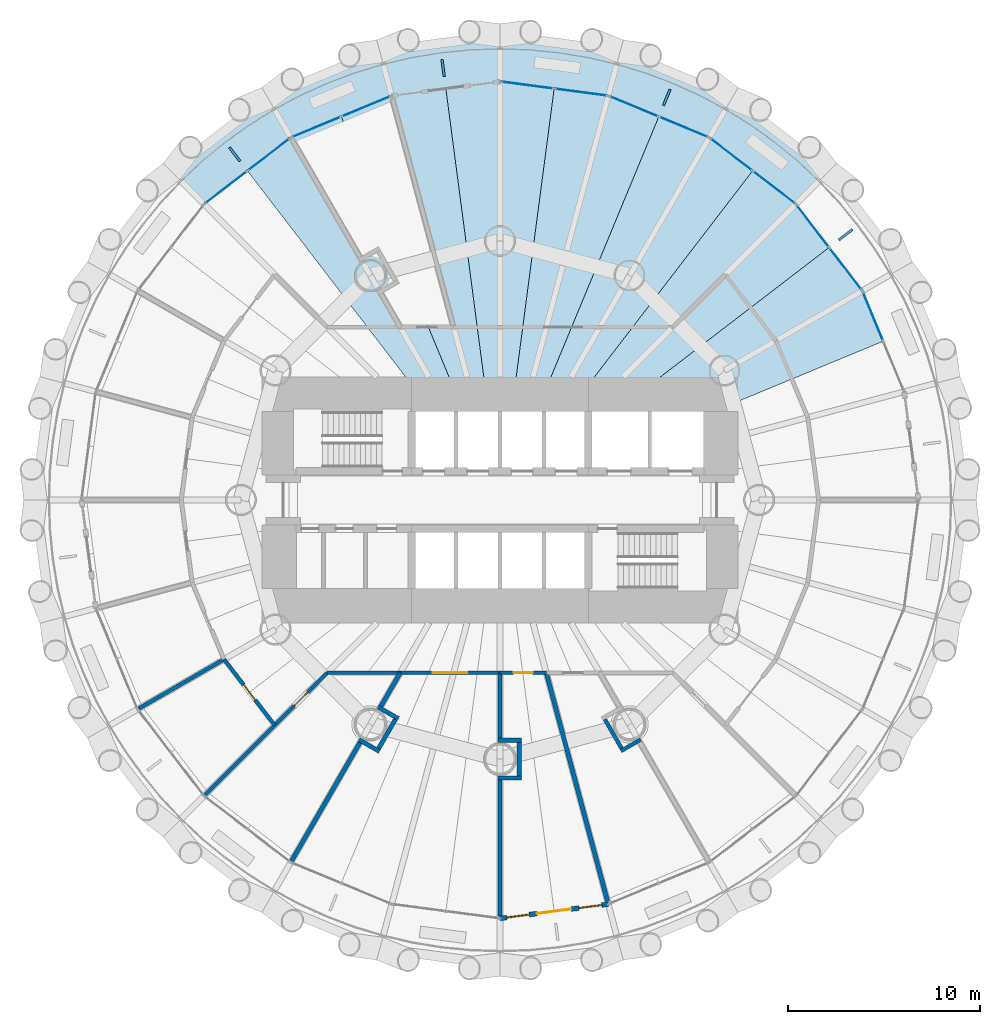
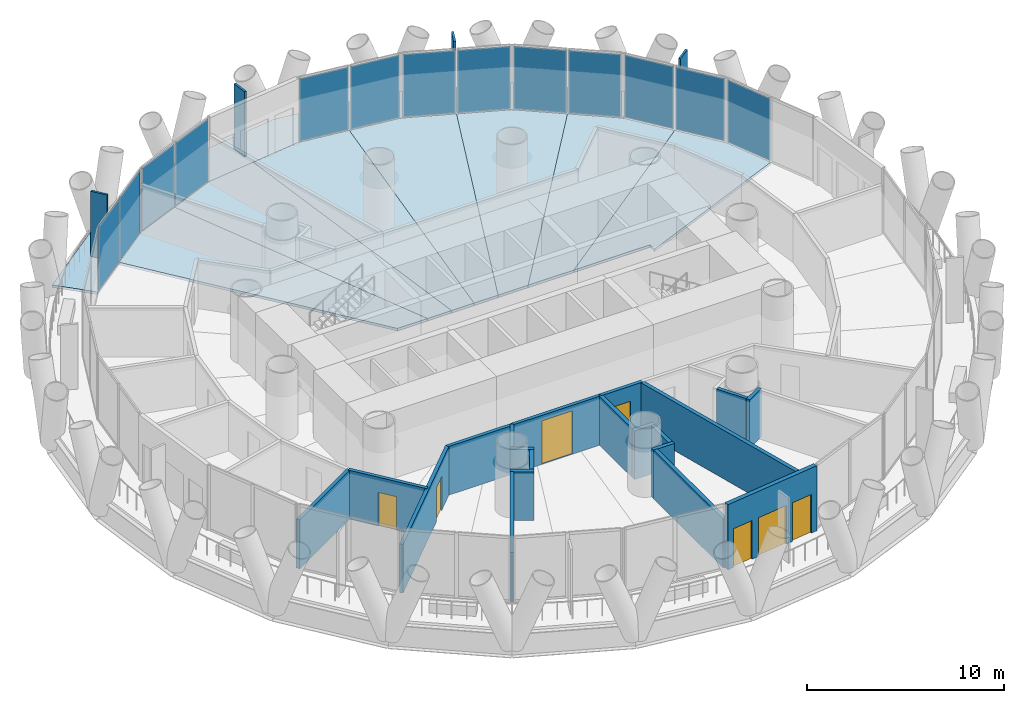
# One storey, part 9 of 16: 20 walls, 17 plates, 8 slabs, 5 doors, 2 windows, 7 openings, 7 elements without a shape of their own.
"""IFC4 building model written with IfcOpenShell, lengths in metres."""

from ifc_helpers import new_model, si_unit, direction, frame, frame_2d, origin, origin_2d, place, context, subcontext, project, spatial, polyline, rectangle, outline, extrude, material, layer, layer_set, type_object, element, fill, aggregate, save


model = new_model("IFC4")

# Units and contexts
model_context = context("Model", 3, precision=1e-05, world=origin(), true_north=direction((0.0, 1.0)))
body_context = subcontext(model_context, "Body", "Model", "MODEL_VIEW")
ifc_project = project(units=[si_unit("LENGTHUNIT", "METRE"), si_unit("AREAUNIT", "SQUARE_METRE"), si_unit("VOLUMEUNIT", "CUBIC_METRE"), si_unit("PLANEANGLEUNIT", "RADIAN"), si_unit("MASSUNIT", "GRAM", prefix="KILO")], contexts=[model_context])

# Site, building, storey
site_placement = place(None, origin())
site = spatial("IfcSite", under=ifc_project, at=site_placement, CompositionType="ELEMENT")
building_placement = place(site_placement, origin())
building = spatial("IfcBuilding", under=site, at=building_placement, Name="Qaws Media Tower", CompositionType="ELEMENT")
storey_placement = place(building_placement, frame((0.0, 0.0, 42.800048828125)))
storey = spatial("IfcBuildingStorey", under=building, at=storey_placement, Name="L08", CompositionType="ELEMENT", Elevation=42.800048828125)

# Slabs
ifc_material_1 = material(Name="Concrete C35/45", Category="concrete")
ifc_layer_1 = layer(ifc_material_1, 0.159912109375)
ifc_layer_set_1 = layer_set([ifc_layer_1], Name="Composite balcony slab 160")
slab_type_1 = type_object("IfcSlabType", Name="Composite balcony slab 160", PredefinedType="FLOOR", material=ifc_layer_set_1)
slab_1_placement = place(storey_placement, frame((0.0, 0.0, -0.16015625)))
element("IfcSlab", 1, at=slab_1_placement, inside=storey, type_object=slab_type_1, Name="S2 balcony slab L08 R04 to R10, movement joints on R04 and R10", PredefinedType="FLOOR", context=body_context, shape_type="SweptSolid", body=[
    extrude(outline(polyline([(42.887939453125, 67.112060546875), (47.89990234375, 70.957763671875), (53.736572265625, 73.37548828125), (60.0, 74.199951171875), (66.263427734375, 73.37548828125), (72.10009765625, 70.957763671875), (77.112060546875, 67.112060546875), (75.414794921875, 65.414794921875), (70.89990234375, 68.87939453125), (65.642333984375, 71.05712890625), (60.0, 71.800048828125), (54.357666015625, 71.05712890625), (49.10009765625, 68.87939453125), (44.585205078125, 65.414794921875), (42.887939453125, 67.112060546875)])), origin(), (0.0, 0.0, 1.0), 0.16015625),
])
ifc_material_2 = material(Name="Concrete C35/45", Category="concrete")
ifc_layer_2 = layer(ifc_material_2, 0.159912109375)
ifc_layer_set_2 = layer_set([ifc_layer_2], Name="Composite floor slab 160")
slab_type_2 = type_object("IfcSlabType", Name="Composite floor slab 160", PredefinedType="FLOOR", material=ifc_layer_set_2)
slab_2_placement = place(storey_placement, frame((0.0, 0.0, -0.16015625)))
element("IfcSlab", 2, at=slab_2_placement, inside=storey, type_object=slab_type_2, Name="S1 floor panel L08 on R03", PredefinedType="FLOOR", context=body_context, shape_type="SweptSolid", body=[
    extrude(outline(polyline([(78.87939453125, 60.89990234375), (79.96826171875, 58.27099609375), (71.0, 54.556396484375), (71.0, 55.0), (66.51611328125, 55.0), (77.147216796875, 63.157470703125), (78.87939453125, 60.89990234375)])), origin(), (0.0, 0.0, 1.0), 0.16015625),
])
slab_3_placement = place(storey_placement, frame((0.0, 0.0, -0.16015625)))
element("IfcSlab", 3, at=slab_3_placement, inside=storey, type_object=slab_type_2, Name="S1 floor panel L08 on R04", PredefinedType="FLOOR", context=body_context, shape_type="SweptSolid", body=[
    extrude(outline(polyline([(75.414794921875, 65.414794921875), (77.147216796875, 63.157470703125), (66.51611328125, 55.0), (63.836669921875, 55.0), (73.157470703125, 67.147216796875), (75.414794921875, 65.414794921875)])), origin(), (0.0, 0.0, 1.0), 0.16015625),
])
slab_4_placement = place(storey_placement, frame((0.0, 0.0, -0.16015625)))
element("IfcSlab", 4, at=slab_4_placement, inside=storey, type_object=slab_type_2, Name="S1 floor panel L08 on R05", PredefinedType="FLOOR", context=body_context, shape_type="SweptSolid", body=[
    extrude(outline(polyline([(70.89990234375, 68.87939453125), (73.157470703125, 67.147216796875), (63.836669921875, 55.0), (62.071044921875, 55.0), (68.27099609375, 69.96826171875), (70.89990234375, 68.87939453125)])), origin(), (0.0, 0.0, 1.0), 0.16015625),
])
slab_5_placement = place(storey_placement, frame((0.0, 0.0, -0.16015625)))
element("IfcSlab", 5, at=slab_5_placement, inside=storey, type_object=slab_type_2, Name="S1 floor panel L08 on R06", PredefinedType="FLOOR", context=body_context, shape_type="SweptSolid", body=[
    extrude(outline(polyline([(65.642333984375, 71.05712890625), (68.27099609375, 69.96826171875), (62.071044921875, 55.0), (60.658203125, 55.0), (62.821044921875, 71.4287109375), (65.642333984375, 71.05712890625)])), origin(), (0.0, 0.0, 1.0), 0.16015625),
])
slab_6_placement = place(storey_placement, frame((0.0, 0.0, -0.16015625)))
element("IfcSlab", 6, at=slab_6_placement, inside=storey, type_object=slab_type_2, Name="S1 floor panel L08 on R07", PredefinedType="FLOOR", context=body_context, shape_type="SweptSolid", body=[
    extrude(outline(polyline([(60.0, 71.800048828125), (62.821044921875, 71.4287109375), (60.658203125, 55.0), (59.341796875, 55.0), (57.178955078125, 71.4287109375), (60.0, 71.800048828125)])), origin(), (0.0, 0.0, 1.0), 0.16015625),
])
slab_7_placement = place(storey_placement, frame((0.0, 0.0, -0.16015625)))
element("IfcSlab", 7, at=slab_7_placement, inside=storey, type_object=slab_type_2, Name="S1 floor panel L08 on R08", PredefinedType="FLOOR", context=body_context, shape_type="SweptSolid", body=[
    extrude(outline(polyline([(54.357666015625, 71.05712890625), (57.178955078125, 71.4287109375), (59.341796875, 55.0), (57.928955078125, 55.0), (51.72900390625, 69.96826171875), (54.357666015625, 71.05712890625)])), origin(), (0.0, 0.0, 1.0), 0.16015625),
])
slab_8_placement = place(storey_placement, frame((0.0, 0.0, -0.16015625)))
element("IfcSlab", 8, at=slab_8_placement, inside=storey, type_object=slab_type_2, Name="S1 floor panel L08 on R09", PredefinedType="FLOOR", context=body_context, shape_type="SweptSolid", body=[
    extrude(outline(polyline([(49.10009765625, 68.87939453125), (51.72900390625, 69.96826171875), (57.928955078125, 55.0), (56.163330078125, 55.0), (46.842529296875, 67.147216796875), (49.10009765625, 68.87939453125)])), origin(), (0.0, 0.0, 1.0), 0.16015625),
])

# Curtain wall, plate
ifc_material_3 = material(Name="Aluminium and clear glass", Category="aluminium")
curtain_wall_type = type_object("IfcCurtainWallType", Name="Unitised curtain wall CW-A", PredefinedType="NOTDEFINED", material=ifc_material_3)
curtain_wall_1_placement = place(storey_placement, origin())
curtain_wall_1 = element("IfcCurtainWall", 9, at=curtain_wall_1_placement, inside=storey, type_object=curtain_wall_type, Name="CWA curtain wall L08-02", PredefinedType="NOTDEFINED")
ifc_material_4 = material(Name="Clear laminated double glazing", Category="glass")
ifc_layer_3 = layer(ifc_material_4, 0.031982421875)
ifc_layer_set_3 = layer_set([ifc_layer_3], Name="Curtain wall glass unit 32")
plate_type_1 = type_object("IfcPlateType", Name="Curtain wall glass unit 32", PredefinedType="CURTAIN_PANEL", material=ifc_layer_set_3)
plate_1_placement = place(storey_placement, frame((79.431396484375, 59.567138671875, 0.080078125), z_axis=(0.0, 0.0, 1.0), x_axis=(-0.382683389393, 0.923879550311, 0.0)))
plate_1 = element("IfcPlate", 10, at=plate_1_placement, type_object=plate_type_1, Name="CWA panel 2.1", PredefinedType="CURTAIN_PANEL", context=body_context, shape_type="SweptSolid", body=[
    extrude(rectangle(XDim=2.7255859375, YDim=0.031982421875, at=origin_2d()), origin(), (0.0, 0.0, 1.0), 3.8798828125),
])
aggregate(curtain_wall_1, [plate_1])

# Curtain wall, plates
curtain_wall_2_placement = place(storey_placement, origin())
curtain_wall_2 = element("IfcCurtainWall", 11, at=curtain_wall_2_placement, inside=storey, type_object=curtain_wall_type, Name="CWA curtain wall L08-03", PredefinedType="NOTDEFINED")
plate_2_placement = place(storey_placement, frame((78.0009765625, 62.044677734375, 0.080078125), z_axis=(0.0, 0.0, 1.0), x_axis=(-0.608761417599, 0.793353349046, 0.0)))
plate_2 = element("IfcPlate", 12, at=plate_2_placement, type_object=plate_type_1, Name="CWA panel 1.1", PredefinedType="CURTAIN_PANEL", context=body_context, shape_type="SweptSolid", body=[
    extrude(rectangle(XDim=2.7255859375, YDim=0.031982421875, at=origin_2d()), origin(), (0.0, 0.0, 1.0), 3.8798828125),
])
plate_3_placement = place(storey_placement, frame((76.293212890625, 64.270263671875, 0.080078125), z_axis=(0.0, 0.0, 1.0), x_axis=(-0.608761417599, 0.793353349046, 0.0)))
plate_3 = element("IfcPlate", 13, at=plate_3_placement, type_object=plate_type_1, Name="CWA panel 2.1", PredefinedType="CURTAIN_PANEL", context=body_context, shape_type="SweptSolid", body=[
    extrude(rectangle(XDim=2.7255859375, YDim=0.031982421875, at=origin_2d()), origin(), (0.0, 0.0, 1.0), 3.8798828125),
])
aggregate(curtain_wall_2, [plate_2, plate_3])

curtain_wall_3_placement = place(storey_placement, origin())
curtain_wall_3 = element("IfcCurtainWall", 14, at=curtain_wall_3_placement, inside=storey, type_object=curtain_wall_type, Name="CWA curtain wall L08-04", PredefinedType="NOTDEFINED")
plate_4_placement = place(storey_placement, frame((74.270263671875, 66.293212890625, 0.080078125), z_axis=(0.0, 0.0, 1.0), x_axis=(-0.793353349046, 0.608761417599, 0.0)))
plate_4 = element("IfcPlate", 15, at=plate_4_placement, type_object=plate_type_1, Name="CWA panel 1.1", PredefinedType="CURTAIN_PANEL", context=body_context, shape_type="SweptSolid", body=[
    extrude(rectangle(XDim=2.7255859375, YDim=0.031982421875, at=origin_2d()), origin(), (0.0, 0.0, 1.0), 3.8798828125),
])
plate_5_placement = place(storey_placement, frame((72.044677734375, 68.0009765625, 0.080078125), z_axis=(0.0, 0.0, 1.0), x_axis=(-0.793353349046, 0.608761417599, 0.0)))
plate_5 = element("IfcPlate", 16, at=plate_5_placement, type_object=plate_type_1, Name="CWA panel 2.1", PredefinedType="CURTAIN_PANEL", context=body_context, shape_type="SweptSolid", body=[
    extrude(rectangle(XDim=2.7255859375, YDim=0.031982421875, at=origin_2d()), origin(), (0.0, 0.0, 1.0), 3.8798828125),
])
aggregate(curtain_wall_3, [plate_4, plate_5])

curtain_wall_4_placement = place(storey_placement, origin())
curtain_wall_4 = element("IfcCurtainWall", 17, at=curtain_wall_4_placement, inside=storey, type_object=curtain_wall_type, Name="CWA curtain wall L08-05", PredefinedType="NOTDEFINED")
plate_6_placement = place(storey_placement, frame((69.567138671875, 69.431396484375, 0.080078125), z_axis=(0.0, 0.0, 1.0), x_axis=(-0.923879550311, 0.382683389393, 0.0)))
plate_6 = element("IfcPlate", 18, at=plate_6_placement, type_object=plate_type_1, Name="CWA panel 1.1", PredefinedType="CURTAIN_PANEL", context=body_context, shape_type="SweptSolid", body=[
    extrude(rectangle(XDim=2.7255859375, YDim=0.031982421875, at=origin_2d()), origin(), (0.0, 0.0, 1.0), 3.8798828125),
])
plate_7_placement = place(storey_placement, frame((66.97509765625, 70.505126953125, 0.080078125), z_axis=(0.0, 0.0, 1.0), x_axis=(-0.923879550311, 0.382683389393, 0.0)))
plate_7 = element("IfcPlate", 19, at=plate_7_placement, type_object=plate_type_1, Name="CWA panel 2.1", PredefinedType="CURTAIN_PANEL", context=body_context, shape_type="SweptSolid", body=[
    extrude(rectangle(XDim=2.7255859375, YDim=0.031982421875, at=origin_2d()), origin(), (0.0, 0.0, 1.0), 3.8798828125),
])
aggregate(curtain_wall_4, [plate_6, plate_7])

curtain_wall_5_placement = place(storey_placement, origin())
curtain_wall_5 = element("IfcCurtainWall", 20, at=curtain_wall_5_placement, inside=storey, type_object=curtain_wall_type, Name="CWA curtain wall L08-06", PredefinedType="NOTDEFINED")
plate_8_placement = place(storey_placement, frame((64.2119140625, 71.24560546875, 0.080078125), z_axis=(0.0, 0.0, 1.0), x_axis=(-0.991444860526, 0.130526198657, 0.0)))
plate_8 = element("IfcPlate", 21, at=plate_8_placement, type_object=plate_type_1, Name="CWA panel 1.1", PredefinedType="CURTAIN_PANEL", context=body_context, shape_type="SweptSolid", body=[
    extrude(rectangle(XDim=2.7255859375, YDim=0.031982421875, at=origin_2d()), origin(), (0.0, 0.0, 1.0), 3.8798828125),
])
plate_9_placement = place(storey_placement, frame((61.430419921875, 71.611572265625, 0.080078125), z_axis=(0.0, 0.0, 1.0), x_axis=(-0.991444860526, 0.130526198657, 0.0)))
plate_9 = element("IfcPlate", 22, at=plate_9_placement, type_object=plate_type_1, Name="CWA panel 2.1", PredefinedType="CURTAIN_PANEL", context=body_context, shape_type="SweptSolid", body=[
    extrude(rectangle(XDim=2.7255859375, YDim=0.031982421875, at=origin_2d()), origin(), (0.0, 0.0, 1.0), 3.8798828125),
])
aggregate(curtain_wall_5, [plate_8, plate_9])

curtain_wall_6_placement = place(storey_placement, origin())
curtain_wall_6 = element("IfcCurtainWall", 23, at=curtain_wall_6_placement, inside=storey, type_object=curtain_wall_type, Name="CWA curtain wall L08-08", PredefinedType="NOTDEFINED")
plate_10_placement = place(storey_placement, frame((53.02490234375, 70.505126953125, 0.080078125), z_axis=(0.0, 0.0, 1.0), x_axis=(-0.923879550311, -0.382683389393, 0.0)))
plate_10 = element("IfcPlate", 24, at=plate_10_placement, type_object=plate_type_1, Name="CWA panel 1.1", PredefinedType="CURTAIN_PANEL", context=body_context, shape_type="SweptSolid", body=[
    extrude(rectangle(XDim=2.7255859375, YDim=0.031982421875, at=origin_2d()), origin(), (0.0, 0.0, 1.0), 3.8798828125),
])
plate_11_placement = place(storey_placement, frame((50.432861328125, 69.431396484375, 0.080078125), z_axis=(0.0, 0.0, 1.0), x_axis=(-0.923879550311, -0.382683389393, 0.0)))
plate_11 = element("IfcPlate", 25, at=plate_11_placement, type_object=plate_type_1, Name="CWA panel 2.1", PredefinedType="CURTAIN_PANEL", context=body_context, shape_type="SweptSolid", body=[
    extrude(rectangle(XDim=2.7255859375, YDim=0.031982421875, at=origin_2d()), origin(), (0.0, 0.0, 1.0), 3.8798828125),
])
aggregate(curtain_wall_6, [plate_10, plate_11])

curtain_wall_7_placement = place(storey_placement, origin())
curtain_wall_7 = element("IfcCurtainWall", 26, at=curtain_wall_7_placement, inside=storey, type_object=curtain_wall_type, Name="CWA curtain wall L08-09", PredefinedType="NOTDEFINED")
plate_12_placement = place(storey_placement, frame((47.955322265625, 68.0009765625, 0.080078125), z_axis=(0.0, 0.0, 1.0), x_axis=(-0.793353349046, -0.608761417599, 0.0)))
plate_12 = element("IfcPlate", 27, at=plate_12_placement, type_object=plate_type_1, Name="CWA panel 1.1", PredefinedType="CURTAIN_PANEL", context=body_context, shape_type="SweptSolid", body=[
    extrude(rectangle(XDim=2.7255859375, YDim=0.031982421875, at=origin_2d()), origin(), (0.0, 0.0, 1.0), 3.8798828125),
])
plate_13_placement = place(storey_placement, frame((45.729736328125, 66.293212890625, 0.080078125), z_axis=(0.0, 0.0, 1.0), x_axis=(-0.793353349046, -0.608761417599, 0.0)))
plate_13 = element("IfcPlate", 28, at=plate_13_placement, type_object=plate_type_1, Name="CWA panel 2.1", PredefinedType="CURTAIN_PANEL", context=body_context, shape_type="SweptSolid", body=[
    extrude(rectangle(XDim=2.7255859375, YDim=0.031982421875, at=origin_2d()), origin(), (0.0, 0.0, 1.0), 3.8798828125),
])
aggregate(curtain_wall_7, [plate_12, plate_13])

# Plates
ifc_material_5 = material(Name="Precast concrete screen fin", Category="concrete")
ifc_layer_4 = layer(ifc_material_5, 0.1201171875)
ifc_layer_set_4 = layer_set([ifc_layer_4], Name="Screen fin 120x900")
plate_type_2 = type_object("IfcPlateType", Name="Screen fin 120x900", PredefinedType="USERDEFINED", material=ifc_layer_set_4)
for number, where, z_axis, x_axis, name in (
    (29, (78.009033203125, 63.81884765625, 0.0), (0.0, 0.0, 1.0), (0.793353340291, 0.608761429009, 0.0), "SCR1 screen fin L08-02"),
    (30, (68.68701171875, 70.97216796875, 0.0), (0.0, 0.0, 1.0), (0.382683432365, 0.923879532511, 0.0), "SCR1 screen fin L08-03"),
    (31, (57.037109375, 72.505859375, 0.0), (0.0, 0.0, 1.0), (-0.13052619222, 0.991444861374, 0.0), "SCR1 screen fin L08-04"),
    (32, (46.18115234375, 68.009033203125, 0.0), (0.0, 0.0, 1.0), (-0.608761429009, 0.793353340291, 0.0), "SCR1 screen fin L08-05"),
):
    element("IfcPlate", number, at=place(storey_placement, frame(where, z_axis=z_axis, x_axis=x_axis)), inside=storey, type_object=plate_type_2, Name=name, ObjectType="SCREEN", PredefinedType="USERDEFINED", context=body_context, shape_type="SweptSolid", body=[
        extrude(rectangle(XDim=0.89990234375, YDim=0.1201171875, at=origin_2d()), origin(), (0.0, 0.0, 1.0), 4.0400390625),
    ])

# Walls
ifc_material_6 = material(Name="Twin metal stud frames, two layers gypsum board each side, insulated, Rw 55", Category="gypsum")
ifc_layer_5 = layer(ifc_material_6, 0.22509765625)
ifc_layer_set_5 = layer_set([ifc_layer_5], Name="Acoustic twin-stud partition 225 Rw 55")
wall_type_1 = type_object("IfcWallType", Name="Acoustic twin-stud partition 225 Rw 55", PredefinedType="PARTITIONING", material=ifc_layer_set_5)
wall_1_placement = place(storey_placement, frame((53.645263671875, 39.218505859375, 0.0), z_axis=(0.0, 0.0, 1.0), x_axis=(0.866019052629, -0.500011000363, 0.0)))
element("IfcWall", 33, at=wall_1_placement, inside=storey, type_object=wall_type_1, Name="W048 IW6 partition return L08", PredefinedType="PARTITIONING", context=body_context, shape_type="SweptSolid", body=[
    extrude(rectangle(XDim=1.220703125, YDim=0.22509765625, at=frame_2d((0.6103515625, 0.0))), origin(), (0.0, 0.0, 1.0), 3.02001953125),
])
wall_2_placement = place(storey_placement, frame((52.659912109375, 37.511474609375, 0.0), z_axis=(0.0, 0.0, 1.0), x_axis=(0.865969036334, -0.500097618581, 0.0)))
element("IfcWall", 34, at=wall_2_placement, inside=storey, type_object=wall_type_1, Name="W044 IW6 partition return L08", PredefinedType="PARTITIONING", context=body_context, shape_type="SweptSolid", body=[
    extrude(rectangle(XDim=1.220458984375, YDim=0.22509765625, at=frame_2d((0.6103515625, 0.0))), origin(), (0.0, 0.0, 1.0), 3.02001953125),
])
wall_3_placement = place(storey_placement, frame((54.548583984375, 38.56689453125, 0.0), z_axis=(0.0, 0.0, 1.0), x_axis=(-0.500049268192, -0.865996956912, 0.0)))
element("IfcWall", 35, at=wall_3_placement, inside=storey, type_object=wall_type_1, Name="W050 IW6 partition return L08", PredefinedType="PARTITIONING", context=body_context, shape_type="SweptSolid", body=[
    extrude(rectangle(XDim=1.745849609375, YDim=0.22509765625, at=frame_2d((0.873046875, 0.0))), origin(), (0.0, 0.0, 1.0), 3.02001953125),
])
wall_4_placement = place(storey_placement, frame((54.81005859375, 41.0107421875, 0.0), z_axis=(0.0, 0.0, 1.0), x_axis=(-0.499969802211, -0.866042837784, 0.0)))
element("IfcWall", 36, at=wall_4_placement, inside=storey, type_object=wall_type_1, Name="W052 IW6 partition L08", PredefinedType="PARTITIONING", context=body_context, shape_type="SweptSolid", body=[
    extrude(rectangle(XDim=2.022216796875, YDim=0.22509765625, at=frame_2d((1.01123046875, 0.0))), origin(), (0.0, 0.0, 1.0), 3.0400390625),
])
wall_5_placement = place(storey_placement, frame((52.700927734375, 37.35791015625, 0.0), z_axis=(0.0, 0.0, 1.0), x_axis=(-0.499970319043, -0.866042539415, 0.0)))
element("IfcWall", 37, at=wall_5_placement, inside=storey, type_object=wall_type_1, Name="W046 IW6 partition L08", PredefinedType="PARTITIONING", context=body_context, shape_type="SweptSolid", body=[
    extrude(rectangle(XDim=7.162109375, YDim=0.22509765625, at=frame_2d((3.5810546875, 0.0))), origin(), (0.0, 0.0, 1.0), 3.0400390625),
])
for number, where, z_axis, x_axis, name in (
    (38, (59.887451171875, 37.485595703125, 0.0), (0.0, 0.0, 1.0), (1.0, 0.0, 0.0), "W012 IW6 partition return L08"),
    (39, (59.887451171875, 35.514404296875, 0.0), (0.0, 0.0, 1.0), (1.0, 0.0, 0.0), "W011 IW6 partition return L08"),
):
    element("IfcWall", number, at=place(storey_placement, frame(where, z_axis=z_axis, x_axis=x_axis)), inside=storey, type_object=wall_type_1, Name=name, PredefinedType="PARTITIONING", context=body_context, shape_type="SweptSolid", body=[
        extrude(rectangle(XDim=1.220458984375, YDim=0.22509765625, at=frame_2d((0.6103515625, 0.0))), origin(), (0.0, 0.0, 1.0), 3.02001953125),
    ])
wall_6_placement = place(storey_placement, frame((60.99560546875, 37.373046875, 0.0), z_axis=(0.0, 0.0, 1.0), x_axis=(0.0, -1.0, 0.0)))
element("IfcWall", 40, at=wall_6_placement, inside=storey, type_object=wall_type_1, Name="W015 IW6 partition return L08", PredefinedType="PARTITIONING", context=body_context, shape_type="SweptSolid", body=[
    extrude(rectangle(XDim=1.74609375, YDim=0.22509765625, at=frame_2d((0.873046875, 0.0))), origin(), (0.0, 0.0, 1.0), 3.02001953125),
])
wall_7_placement = place(storey_placement, frame((60.0, 41.0, 0.0), z_axis=(0.0, 0.0, 1.0), x_axis=(0.0, -1.0, 0.0)))
element("IfcWall", 41, at=wall_7_placement, inside=storey, type_object=wall_type_1, Name="W055 IW6 partition L08", PredefinedType="PARTITIONING", context=body_context, shape_type="SweptSolid", body=[
    extrude(rectangle(XDim=3.402099609375, YDim=0.22509765625, at=frame_2d((1.701171875, 0.0))), origin(), (0.0, 0.0, 1.0), 3.0400390625),
])
wall_8_placement = place(storey_placement, frame((60.0, 35.402099609375, 0.0), z_axis=(0.0, 0.0, 1.0), x_axis=(0.0, -1.0, 0.0)))
element("IfcWall", 42, at=wall_8_placement, inside=storey, type_object=wall_type_1, Name="W054 IW6 partition L08", PredefinedType="PARTITIONING", context=body_context, shape_type="SweptSolid", body=[
    extrude(rectangle(XDim=7.06201171875, YDim=0.22509765625, at=frame_2d((3.531005859375, 0.0))), origin(), (0.0, 0.0, 1.0), 3.0400390625),
])
wall_9_placement = place(storey_placement, frame((62.412109375, 40.99755859375, 0.0), z_axis=(0.0, 0.0, 1.0), x_axis=(0.258817505218, -0.965926238899, 0.0)))
element("IfcWall", 43, at=wall_9_placement, inside=storey, type_object=wall_type_1, Name="W056 IW6 partition L08", PredefinedType="PARTITIONING", context=body_context, shape_type="SweptSolid", body=[
    extrude(rectangle(XDim=12.340087890625, YDim=0.22509765625, at=frame_2d((6.169921875, 0.0))), origin(), (0.0, 0.0, 1.0), 3.02001953125),
])

# Wall, openings, door, windows
ifc_material_7 = material(Name="Precast concrete, exposed finish", Category="concrete")
ifc_layer_6 = layer(ifc_material_7, 0.25)
ifc_layer_set_6 = layer_set([ifc_layer_6], Name="Balcony door wall 250")
wall_type_2 = type_object("IfcWallType", Name="Balcony door wall 250", PredefinedType="SOLIDWALL", material=ifc_layer_set_6)
wall_10_placement = place(storey_placement, frame((60.0, 28.199951171875, 0.0), z_axis=(0.0, 0.0, 1.0), x_axis=(0.991442756491, 0.130542179395, 0.0)))
wall_10 = element("IfcWall", 44, at=wall_10_placement, inside=storey, type_object=wall_type_2, Name="W122 EW1 balcony door wall L08-19", PredefinedType="SOLIDWALL", context=body_context, shape_type="SweptSolid", body=[
    extrude(rectangle(XDim=5.69091796875, YDim=0.25, at=frame_2d((2.845458984375, 0.0))), origin(), (0.0, 0.0, 1.0), 4.0400390625),
])
opening_1_placement = place(wall_10_placement, frame((1.945556640625, 0.0, 0.0)))
opening_1 = element("IfcOpeningElement", 45, at=opening_1_placement, cuts=wall_10, Name="Opening D7", PredefinedType="OPENING", context=body_context, shape_type="SweptSolid", body=[
    extrude(rectangle(XDim=1.800048828125, YDim=2.39990234375, at=frame_2d((0.89990234375, 1.199951171875))), frame((0.0, 0.135009765625, 0.0), z_axis=(0.0, -1.0, 0.0), x_axis=(1.0, 0.0, 0.0)), (0.0, 0.0, 1.0), 0.27001953125),
])
opening_2_placement = place(wall_10_placement, frame((0.345458984375, 0.0, 0.0)))
opening_2 = element("IfcOpeningElement", 46, at=opening_2_placement, cuts=wall_10, Name="Opening W1", PredefinedType="OPENING", context=body_context, shape_type="SweptSolid", body=[
    extrude(rectangle(XDim=1.199951171875, YDim=2.39990234375, at=frame_2d((0.60009765625, 1.199951171875))), frame((0.0, 0.135009765625, 0.0), z_axis=(0.0, -1.0, 0.0), x_axis=(1.0, 0.0, 0.0)), (0.0, 0.0, 1.0), 0.27001953125),
])
opening_3_placement = place(wall_10_placement, frame((4.1455078125, 0.0, 0.0)))
opening_3 = element("IfcOpeningElement", 47, at=opening_3_placement, cuts=wall_10, Name="Opening W1", PredefinedType="OPENING", context=body_context, shape_type="SweptSolid", body=[
    extrude(rectangle(XDim=1.199951171875, YDim=2.39990234375, at=frame_2d((0.60009765625, 1.199951171875))), frame((0.0, 0.135009765625, 0.0), z_axis=(0.0, -1.0, 0.0), x_axis=(1.0, 0.0, 0.0)), (0.0, 0.0, 1.0), 0.27001953125),
])
ifc_material_8 = material(Name="Aluminium and clear glass", Category="aluminium")
door_type_1 = type_object("IfcDoorType", Name="Balcony door pair 1800", OperationType="DOUBLE_DOOR_SLIDING", PredefinedType="DOOR", material=ifc_material_8)
door_1_placement = place(opening_1_placement, origin())
door_1 = element("IfcDoor", 48, at=door_1_placement, inside=storey, type_object=door_type_1, Name="D7 balcony door L08-19 in wall W122", OperationType="DOUBLE_DOOR_SLIDING", OverallHeight=2.39990234375, OverallWidth=1.800048828125, PredefinedType="DOOR", context=body_context, shape_type="SweptSolid", body=[
    extrude(rectangle(XDim=1.800048828125, YDim=2.39990234375, at=frame_2d((0.89990234375, 1.199951171875))), frame((0.0, 0.02490234375, 0.0), z_axis=(0.0, -1.0, 0.0), x_axis=(1.0, 0.0, 0.0)), (0.0, 0.0, 1.0), 0.050048828125),
])
fill(opening_1, door_1)
ifc_material_9 = material(Name="Aluminium and clear glass", Category="aluminium")
window_type = type_object("IfcWindowType", Name="Balcony side window 1200", PartitioningType="SINGLE_PANEL", PredefinedType="WINDOW", material=ifc_material_9)
window_1_placement = place(opening_2_placement, origin())
window_1 = element("IfcWindow", 49, at=window_1_placement, inside=storey, type_object=window_type, Name="W1 balcony side light L08-19L", OverallHeight=2.39990234375, OverallWidth=1.199951171875, PartitioningType="SINGLE_PANEL", PredefinedType="WINDOW", context=body_context, shape_type="SweptSolid", body=[
    extrude(rectangle(XDim=1.199951171875, YDim=2.39990234375, at=frame_2d((0.60009765625, 1.199951171875))), frame((0.0, 0.030029296875, 0.0), z_axis=(0.0, -1.0, 0.0), x_axis=(1.0, 0.0, 0.0)), (0.0, 0.0, 1.0), 0.06005859375),
])
fill(opening_2, window_1)
window_2_placement = place(opening_3_placement, origin())
window_2 = element("IfcWindow", 50, at=window_2_placement, inside=storey, type_object=window_type, Name="W1 balcony side light L08-19R", OverallHeight=2.39990234375, OverallWidth=1.199951171875, PartitioningType="SINGLE_PANEL", PredefinedType="WINDOW", context=body_context, shape_type="SweptSolid", body=[
    extrude(rectangle(XDim=1.199951171875, YDim=2.39990234375, at=frame_2d((0.60009765625, 1.199951171875))), frame((0.0, 0.030029296875, 0.0), z_axis=(0.0, -1.0, 0.0), x_axis=(1.0, 0.0, 0.0)), (0.0, 0.0, 1.0), 0.06005859375),
])
fill(opening_3, window_2)

# Wall, opening, door
ifc_material_10 = material(Name="Gypsum board on galvanised metal studs, acoustic double stud, deflection head", Category="gypsum")
ifc_layer_7 = layer(ifc_material_10, 0.199951171875)
ifc_layer_set_7 = layer_set([ifc_layer_7], Name="Room partition 200")
wall_type_3 = type_object("IfcWallType", Name="Room partition 200", PredefinedType="PARTITIONING", material=ifc_layer_set_7)
wall_11_placement = place(storey_placement, frame((48.261962890625, 38.261962890625, 0.0), z_axis=(0.0, 0.0, 1.0), x_axis=(-0.60874374674, 0.79336690806, 0.0)))
wall_11 = element("IfcWall", 51, at=wall_11_placement, inside=storey, type_object=wall_type_3, Name="W993 IW3 partition L08", PredefinedType="PARTITIONING", context=body_context, shape_type="SweptSolid", body=[
    extrude(rectangle(XDim=4.33349609375, YDim=0.199951171875, at=frame_2d((2.166748046875, 0.0))), origin(), (0.0, 0.0, 1.0), 3.0400390625),
])
opening_4_placement = place(wall_11_placement, frame((1.666748046875, 0.0, 0.0)))
opening_4 = element("IfcOpeningElement", 52, at=opening_4_placement, cuts=wall_11, Name="Opening D5", PredefinedType="OPENING", context=body_context, shape_type="SweptSolid", body=[
    extrude(rectangle(XDim=1.0, YDim=2.10009765625, at=frame_2d((0.5, 1.050048828125))), frame((0.0, 0.10986328125, 0.0), z_axis=(0.0, -1.0, 0.0), x_axis=(1.0, 0.0, 0.0)), (0.0, 0.0, 1.0), 0.219970703125),
])
ifc_material_11 = material(Name="Timber veneered, acoustic seal", Category="wood")
door_type_2 = type_object("IfcDoorType", Name="Room door 1000", OperationType="SINGLE_SWING_LEFT", PredefinedType="DOOR", material=ifc_material_11)
door_2_placement = place(opening_4_placement, origin())
door_2 = element("IfcDoor", 53, at=door_2_placement, inside=storey, type_object=door_type_2, Name="D5 Edit room door L08 in wall W993", OperationType="SINGLE_SWING_LEFT", OverallHeight=2.10009765625, OverallWidth=1.0, PredefinedType="DOOR", context=body_context, shape_type="SweptSolid", body=[
    extrude(rectangle(XDim=1.0, YDim=2.10009765625, at=frame_2d((0.5, 1.050048828125))), frame((0.0, 0.02490234375, 0.0), z_axis=(0.0, -1.0, 0.0), x_axis=(1.0, 0.0, 0.0)), (0.0, 0.0, 1.0), 0.050048828125),
])
fill(opening_4, door_2)

wall_12_placement = place(storey_placement, frame((62.41162109375, 41.0, 0.0), z_axis=(0.0, 0.0, 1.0), x_axis=(-1.0, 0.0, 0.0)))
wall_12 = element("IfcWall", 54, at=wall_12_placement, inside=storey, type_object=wall_type_3, Name="W1002 IW3 partition L08", PredefinedType="PARTITIONING", context=body_context, shape_type="SweptSolid", body=[
    extrude(rectangle(XDim=2.41162109375, YDim=0.199951171875, at=frame_2d((1.205810546875, 0.0))), origin(), (0.0, 0.0, 1.0), 3.0400390625),
])
opening_5_placement = place(wall_12_placement, frame((0.705810546875, 0.0, 0.0)))
opening_5 = element("IfcOpeningElement", 55, at=opening_5_placement, cuts=wall_12, Name="Opening D5", PredefinedType="OPENING", context=body_context, shape_type="SweptSolid", body=[
    extrude(rectangle(XDim=1.0, YDim=2.10009765625, at=frame_2d((0.5, 1.050048828125))), frame((0.0, 0.10986328125, 0.0), z_axis=(0.0, -1.0, 0.0), x_axis=(1.0, 0.0, 0.0)), (0.0, 0.0, 1.0), 0.219970703125),
])
door_3_placement = place(opening_5_placement, origin())
door_3 = element("IfcDoor", 56, at=door_3_placement, inside=storey, type_object=door_type_2, Name="D5 Machine room door L08 in wall W1002", OperationType="SINGLE_SWING_LEFT", OverallHeight=2.10009765625, OverallWidth=1.0, PredefinedType="DOOR", context=body_context, shape_type="SweptSolid", body=[
    extrude(rectangle(XDim=1.0, YDim=2.10009765625, at=frame_2d((0.5, 1.050048828125))), frame((0.0, 0.02490234375, 0.0), z_axis=(0.0, -1.0, 0.0), x_axis=(1.0, 0.0, 0.0)), (0.0, 0.0, 1.0), 0.050048828125),
])
fill(opening_5, door_3)

wall_13_placement = place(storey_placement, frame((60.0, 41.0, 0.0), z_axis=(0.0, 0.0, 1.0), x_axis=(-1.0, 0.0, 0.0)))
wall_13 = element("IfcWall", 57, at=wall_13_placement, inside=storey, type_object=wall_type_3, Name="W1001 IW3 partition L08", PredefinedType="PARTITIONING", context=body_context, shape_type="SweptSolid", body=[
    extrude(rectangle(XDim=5.1962890625, YDim=0.199951171875, at=frame_2d((2.59814453125, 0.0))), origin(), (0.0, 0.0, 1.0), 3.0400390625),
])
opening_6_placement = place(wall_13_placement, frame((1.697998046875, 0.0, 0.0)))
opening_6 = element("IfcOpeningElement", 58, at=opening_6_placement, cuts=wall_13, Name="Opening D15", PredefinedType="OPENING", context=body_context, shape_type="SweptSolid", body=[
    extrude(rectangle(XDim=1.800048828125, YDim=2.699951171875, at=frame_2d((0.89990234375, 1.35009765625))), frame((0.0, 0.10986328125, 0.0), z_axis=(0.0, -1.0, 0.0), x_axis=(1.0, 0.0, 0.0)), (0.0, 0.0, 1.0), 0.219970703125),
])
ifc_material_12 = material(Name="Steel acoustic door set, Rw 50", Category="steel")
door_type_3 = type_object("IfcDoorType", Name="Studio acoustic door pair 1800x2700 Rw 50", OperationType="DOUBLE_DOOR_DOUBLE_SWING", PredefinedType="DOOR", material=ifc_material_12)
door_4_placement = place(opening_6_placement, origin())
door_4 = element("IfcDoor", 59, at=door_4_placement, inside=storey, type_object=door_type_3, Name="D15 Audio dubbing theatre door L08 in wall W1001", OperationType="DOUBLE_DOOR_DOUBLE_SWING", OverallHeight=2.699951171875, OverallWidth=1.800048828125, PredefinedType="DOOR", context=body_context, shape_type="SweptSolid", body=[
    extrude(rectangle(XDim=1.800048828125, YDim=2.699951171875, at=frame_2d((0.89990234375, 1.35009765625))), frame((0.0, 0.02490234375, 0.0), z_axis=(0.0, -1.0, 0.0), x_axis=(1.0, 0.0, 0.0)), (0.0, 0.0, 1.0), 0.050048828125),
])
fill(opening_6, door_4)

# Walls
wall_14_placement = place(storey_placement, frame((54.8037109375, 41.0, 0.0), z_axis=(0.0, 0.0, 1.0), x_axis=(-1.0, 0.0, 0.0)))
element("IfcWall", 60, at=wall_14_placement, inside=storey, type_object=wall_type_3, Name="W997 IW3 partition L08", PredefinedType="PARTITIONING", context=body_context, shape_type="SweptSolid", body=[
    extrude(rectangle(XDim=3.8037109375, YDim=0.199951171875, at=frame_2d((1.90185546875, 0.0))), origin(), (0.0, 0.0, 1.0), 3.02001953125),
])
wall_15_placement = place(storey_placement, frame((45.6240234375, 41.699951171875, 0.0), z_axis=(0.0, 0.0, 1.0), x_axis=(-0.866042189445, -0.499970925255, 0.0)))
element("IfcWall", 61, at=wall_15_placement, inside=storey, type_object=wall_type_3, Name="W990 IW3 partition L08", PredefinedType="PARTITIONING", context=body_context, shape_type="SweptSolid", body=[
    extrude(rectangle(XDim=5.159912109375, YDim=0.199951171875, at=frame_2d((2.580078125, 0.0))), origin(), (0.0, 0.0, 1.0), 3.0400390625),
])

# Wall, opening, door
wall_16_placement = place(storey_placement, frame((51.0, 41.0, 0.0), z_axis=(0.0, 0.0, 1.0), x_axis=(-0.707106781187, -0.707106781187, 0.0)))
wall_16 = element("IfcWall", 62, at=wall_16_placement, inside=storey, type_object=wall_type_3, Name="W995 IW3 partition L08", PredefinedType="PARTITIONING", context=body_context, shape_type="SweptSolid", body=[
    extrude(rectangle(XDim=9.0322265625, YDim=0.199951171875, at=frame_2d((4.51611328125, 0.0))), origin(), (0.0, 0.0, 1.0), 3.02001953125),
])
opening_7_placement = place(wall_16_placement, frame((1.43603515625, 0.0, 0.0)))
opening_7 = element("IfcOpeningElement", 63, at=opening_7_placement, cuts=wall_16, Name="Opening D5", PredefinedType="OPENING", context=body_context, shape_type="SweptSolid", body=[
    extrude(rectangle(XDim=1.0, YDim=2.10009765625, at=frame_2d((0.5, 1.050048828125))), frame((0.0, 0.10986328125, 0.0), z_axis=(0.0, -1.0, 0.0), x_axis=(1.0, 0.0, 0.0)), (0.0, 0.0, 1.0), 0.219970703125),
])
door_5_placement = place(opening_7_placement, origin())
door_5 = element("IfcDoor", 64, at=door_5_placement, inside=storey, type_object=door_type_2, Name="D5 Edit room door L08 in wall W995", OperationType="SINGLE_SWING_LEFT", OverallHeight=2.10009765625, OverallWidth=1.0, PredefinedType="DOOR", context=body_context, shape_type="SweptSolid", body=[
    extrude(rectangle(XDim=1.0, YDim=2.10009765625, at=frame_2d((0.5, 1.050048828125))), frame((0.0, 0.02490234375, 0.0), z_axis=(0.0, -1.0, 0.0), x_axis=(1.0, 0.0, 0.0)), (0.0, 0.0, 1.0), 0.050048828125),
])
fill(opening_7, door_5)

# Walls
wall_17_placement = place(storey_placement, frame((67.322998046875, 37.51611328125, 0.0), z_axis=(0.0, 0.0, 1.0), x_axis=(-0.865986234303, -0.500067837396, 0.0)))
element("IfcWall", 65, at=wall_17_placement, inside=storey, type_object=wall_type_3, Name="W1008 IW3 partition return L08", PredefinedType="PARTITIONING", context=body_context, shape_type="SweptSolid", body=[
    extrude(rectangle(XDim=1.182861328125, YDim=0.199951171875, at=frame_2d((0.59130859375, 0.0))), origin(), (0.0, 0.0, 1.0), 3.02001953125),
])
wall_18_placement = place(storey_placement, frame((65.462158203125, 38.5732421875, 0.0), z_axis=(0.0, 0.0, 1.0), x_axis=(0.499988720078, -0.866031916153, 0.0)))
element("IfcWall", 66, at=wall_18_placement, inside=storey, type_object=wall_type_3, Name="W1005 IW3 partition return L08", PredefinedType="PARTITIONING", context=body_context, shape_type="SweptSolid", body=[
    extrude(rectangle(XDim=1.74609375, YDim=0.199951171875, at=frame_2d((0.873046875, 0.0))), origin(), (0.0, 0.0, 1.0), 3.02001953125),
])

save(model, "model.ifc")
